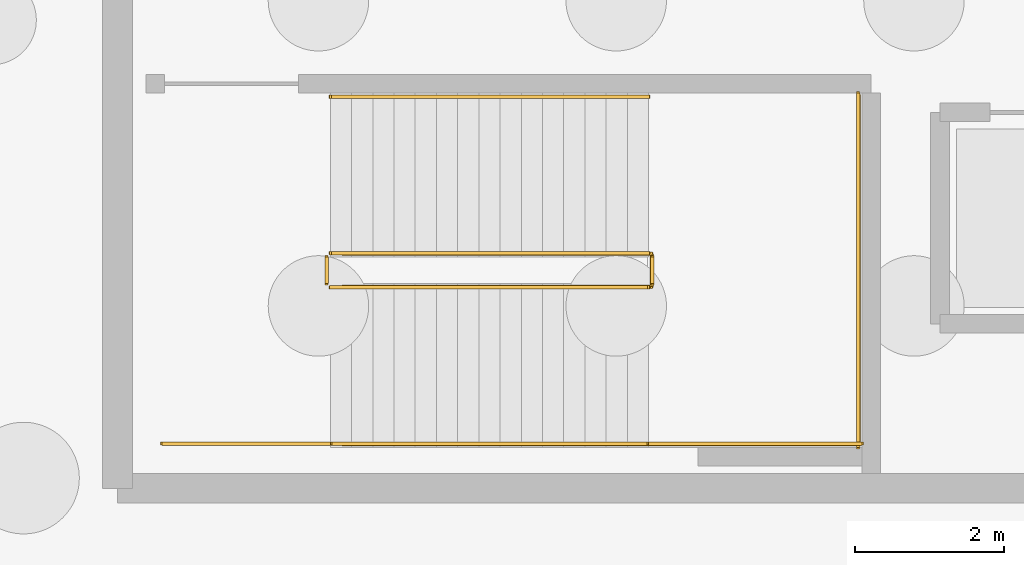
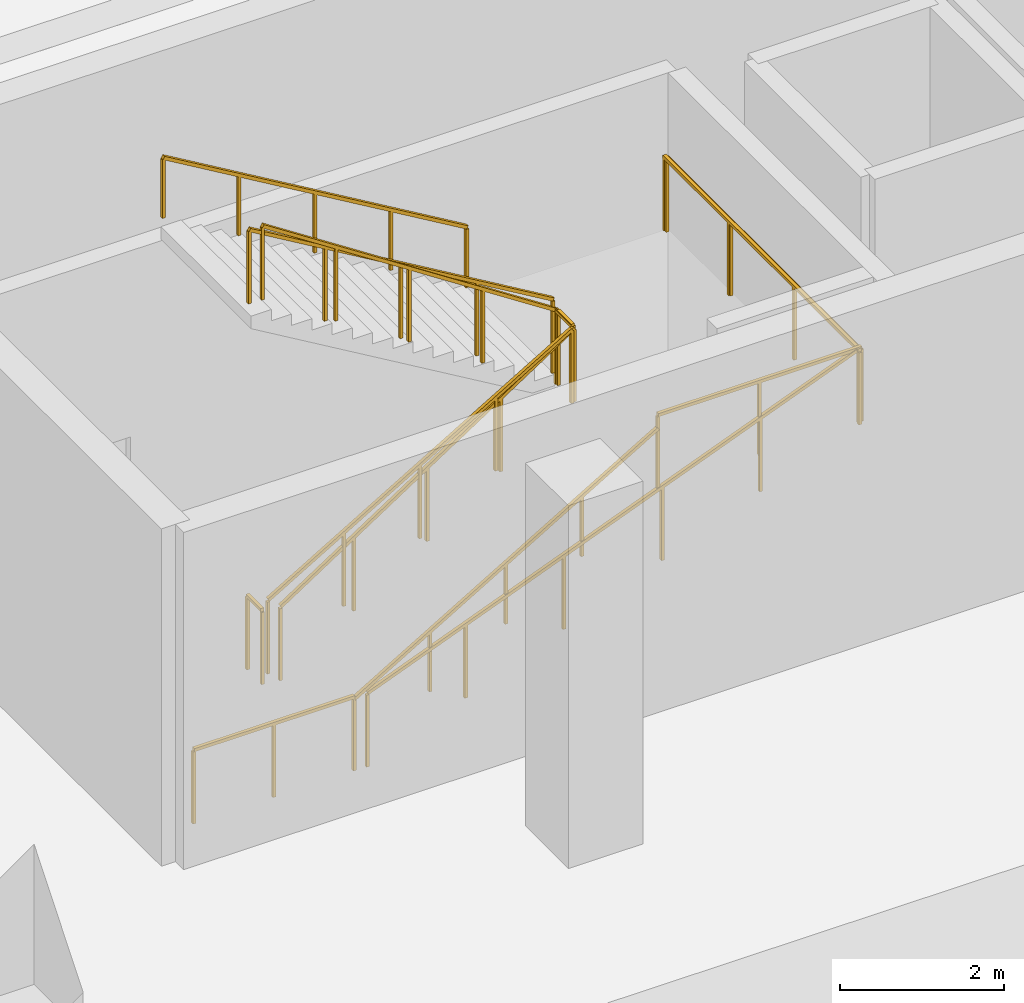
# One storey, part 59 of 65: 11 railings.
"""IFC4 building model written with IfcOpenShell, lengths in metres."""

from ifc_helpers import new_model, si_unit, direction, frame, origin, origin_2d, place, context, subcontext, project, spatial, rectangle, extrude, material, type_object, element, save


model = new_model("IFC4")

# Units and contexts
model_context = context("Model", 3, precision=1e-05, world=origin(), true_north=direction((0.0, 1.0)))
body_context = subcontext(model_context, "Body", "Model", "MODEL_VIEW")
ifc_project = project(units=[si_unit("LENGTHUNIT", "METRE"), si_unit("AREAUNIT", "SQUARE_METRE"), si_unit("VOLUMEUNIT", "CUBIC_METRE"), si_unit("PLANEANGLEUNIT", "RADIAN"), si_unit("MASSUNIT", "GRAM", prefix="KILO")], contexts=[model_context])

# Site, building, storey
site_placement = place(None, origin())
site = spatial("IfcSite", under=ifc_project, at=site_placement, CompositionType="ELEMENT")
building_placement = place(site_placement, origin())
building = spatial("IfcBuilding", under=site, at=building_placement, Name="Khorjan Park Terminus", CompositionType="ELEMENT")
storey_placement = place(building_placement, frame((0.0, 0.0, -5.4)))
storey = spatial("IfcBuildingStorey", under=building, at=storey_placement, Name="B1", CompositionType="ELEMENT", Elevation=-5.4)

# Railings
ifc_material = material(Name="Steel S355", Category="steel")
railing_type_1 = type_object("IfcRailingType", Name="GR-112", PredefinedType="GUARDRAIL", material=ifc_material)
railing_1_placement = place(storey_placement, frame((54.26, 30.7, 0.1687)))
element("IfcRailing", 1, at=railing_1_placement, inside=storey, type_object=railing_type_1, Name="B1 ST-01 stair guard 1", PredefinedType="GUARDRAIL", context=body_context, shape_type="SweptSolid", body=[
    extrude(rectangle(XDim=0.048, YDim=0.048, at=origin_2d()), frame((0.0, 0.0, 1.096), z_axis=(0.860470976901, 0.0, 0.509499458206), x_axis=(0.0, 1.0, 0.0)), (0.0, 0.0, 1.0), 4.9682),
    extrude(rectangle(XDim=0.042, YDim=0.042, at=origin_2d()), origin(), (0.0, 0.0, 1.0), 1.072),
    extrude(rectangle(XDim=0.042, YDim=0.042, at=origin_2d()), frame((1.0687, 0.0, 0.6328)), (0.0, 0.0, 1.0), 1.072),
    extrude(rectangle(XDim=0.042, YDim=0.042, at=origin_2d()), frame((2.1375, 0.0, 1.2656)), (0.0, 0.0, 1.0), 1.072),
    extrude(rectangle(XDim=0.042, YDim=0.042, at=origin_2d()), frame((3.2062, 0.0, 1.8985)), (0.0, 0.0, 1.0), 1.072),
    extrude(rectangle(XDim=0.042, YDim=0.042, at=origin_2d()), frame((4.275, 0.0, 2.5313)), (0.0, 0.0, 1.0), 1.072),
])
railing_2_placement = place(storey_placement, frame((58.585, 30.75, 2.7)))
element("IfcRailing", 2, at=railing_2_placement, inside=storey, type_object=railing_type_1, Name="B1 ST-01 stair guard 2", PredefinedType="GUARDRAIL", context=body_context, shape_type="SweptSolid", body=[
    extrude(rectangle(XDim=0.048, YDim=0.048, at=origin_2d()), frame((0.0, 0.0, 1.096), z_axis=(0.0, 1.0, 0.0), x_axis=(-1.0, 0.0, 0.0)), (0.0, 0.0, 1.0), 0.36),
    extrude(rectangle(XDim=0.042, YDim=0.042, at=origin_2d()), origin(), (0.0, 0.0, 1.0), 1.072),
    extrude(rectangle(XDim=0.042, YDim=0.042, at=origin_2d()), frame((0.0, 0.36, 0.0)), (0.0, 0.0, 1.0), 1.072),
])
railing_3_placement = place(storey_placement, frame((58.535, 28.6, 2.7)))
element("IfcRailing", 3, at=railing_3_placement, inside=storey, type_object=railing_type_1, Name="B1 ST-01 stair guard 3", PredefinedType="GUARDRAIL", context=body_context, shape_type="SweptSolid", body=[
    extrude(rectangle(XDim=0.048, YDim=0.048, at=origin_2d()), frame((0.0, 0.0, 1.096), z_axis=(1.0, 0.0, 0.0), x_axis=(0.0, 1.0, 0.0)), (0.0, 0.0, 1.0), 2.865),
    extrude(rectangle(XDim=0.042, YDim=0.042, at=origin_2d()), origin(), (0.0, 0.0, 1.0), 1.072),
    extrude(rectangle(XDim=0.042, YDim=0.042, at=origin_2d()), frame((1.4325, 0.0, 0.0)), (0.0, 0.0, 1.0), 1.072),
    extrude(rectangle(XDim=0.042, YDim=0.042, at=origin_2d()), frame((2.865, 0.0, 0.0)), (0.0, 0.0, 1.0), 1.072),
])
railing_4_placement = place(storey_placement, frame((61.35, 28.55, 2.7)))
element("IfcRailing", 4, at=railing_4_placement, inside=storey, type_object=railing_type_1, Name="B1 ST-01 stair guard 4", PredefinedType="GUARDRAIL", context=body_context, shape_type="SweptSolid", body=[
    extrude(rectangle(XDim=0.048, YDim=0.048, at=origin_2d()), frame((0.0, 0.0, 1.096), z_axis=(0.0, 1.0, 0.0), x_axis=(-1.0, 0.0, 0.0)), (0.0, 0.0, 1.0), 4.76),
    extrude(rectangle(XDim=0.042, YDim=0.042, at=origin_2d()), origin(), (0.0, 0.0, 1.0), 1.072),
    extrude(rectangle(XDim=0.042, YDim=0.042, at=origin_2d()), frame((0.0, 1.5867, 0.0)), (0.0, 0.0, 1.0), 1.072),
    extrude(rectangle(XDim=0.042, YDim=0.042, at=origin_2d()), frame((0.0, 3.1733, 0.0)), (0.0, 0.0, 1.0), 1.072),
    extrude(rectangle(XDim=0.042, YDim=0.042, at=origin_2d()), frame((0.0, 4.76, 0.0)), (0.0, 0.0, 1.0), 1.072),
])
railing_5_placement = place(storey_placement, frame((58.535, 31.16, 2.8688)))
element("IfcRailing", 5, at=railing_5_placement, inside=storey, type_object=railing_type_1, Name="B1 ST-01 stair guard 5", PredefinedType="GUARDRAIL", context=body_context, shape_type="SweptSolid", body=[
    extrude(rectangle(XDim=0.048, YDim=0.048, at=origin_2d()), frame((0.0, 0.0, 1.096), z_axis=(-0.860479801158, 0.0, 0.509484555015), x_axis=(0.0, -1.0, 0.0)), (0.0, 0.0, 1.0), 4.9682),
    extrude(rectangle(XDim=0.042, YDim=0.042, at=origin_2d()), origin(), (0.0, 0.0, 1.0), 1.072),
    extrude(rectangle(XDim=0.042, YDim=0.042, at=origin_2d()), frame((-1.0687, 0.0, 0.6328)), (0.0, 0.0, 1.0), 1.072),
    extrude(rectangle(XDim=0.042, YDim=0.042, at=origin_2d()), frame((-2.1375, 0.0, 1.2656)), (0.0, 0.0, 1.0), 1.072),
    extrude(rectangle(XDim=0.042, YDim=0.042, at=origin_2d()), frame((-3.2062, 0.0, 1.8984)), (0.0, 0.0, 1.0), 1.072),
    extrude(rectangle(XDim=0.042, YDim=0.042, at=origin_2d()), frame((-4.275, 0.0, 2.5312)), (0.0, 0.0, 1.0), 1.072),
])
railing_6_placement = place(storey_placement, frame((54.21, 30.75, 0.0)))
element("IfcRailing", 6, at=railing_6_placement, inside=storey, type_object=railing_type_1, Name="B1 ST-01 stair guard 6", PredefinedType="GUARDRAIL", context=body_context, shape_type="SweptSolid", body=[
    extrude(rectangle(XDim=0.048, YDim=0.048, at=origin_2d()), frame((0.0, 0.0, 1.096), z_axis=(0.0, 1.0, 0.0), x_axis=(-1.0, 0.0, 0.0)), (0.0, 0.0, 1.0), 0.36),
    extrude(rectangle(XDim=0.042, YDim=0.042, at=origin_2d()), origin(), (0.0, 0.0, 1.0), 1.072),
    extrude(rectangle(XDim=0.042, YDim=0.042, at=origin_2d()), frame((0.0, 0.36, 0.0)), (0.0, 0.0, 1.0), 1.072),
])
railing_7_placement = place(storey_placement, frame((52.0, 28.6, 0.0)))
element("IfcRailing", 7, at=railing_7_placement, inside=storey, type_object=railing_type_1, Name="B1 ST-01 stair guard 7", PredefinedType="GUARDRAIL", context=body_context, shape_type="SweptSolid", body=[
    extrude(rectangle(XDim=0.048, YDim=0.048, at=origin_2d()), frame((0.0, 0.0, 1.096), z_axis=(1.0, 0.0, 0.0), x_axis=(0.0, 1.0, 0.0)), (0.0, 0.0, 1.0), 2.26),
    extrude(rectangle(XDim=0.042, YDim=0.042, at=origin_2d()), origin(), (0.0, 0.0, 1.0), 1.072),
    extrude(rectangle(XDim=0.042, YDim=0.042, at=origin_2d()), frame((1.13, 0.0, 0.0)), (0.0, 0.0, 1.0), 1.072),
    extrude(rectangle(XDim=0.042, YDim=0.042, at=origin_2d()), frame((2.26, 0.0, 0.0)), (0.0, 0.0, 1.0), 1.072),
])
railing_8_placement = place(storey_placement, frame((54.44, 30.71, 0.0)))
element("IfcRailing", 8, at=railing_8_placement, inside=storey, type_object=railing_type_1, Name="Core K1 stair well slot guard GR-112 (B1)", PredefinedType="GUARDRAIL", context=body_context, shape_type="SweptSolid", body=[
    extrude(rectangle(XDim=0.048, YDim=0.048, at=origin_2d()), frame((0.0, 0.0, 1.096), z_axis=(0.837308340656, 0.0, 0.546730960041), x_axis=(0.0, 1.0, 0.0)), (0.0, 0.0, 1.0), 4.9384),
    extrude(rectangle(XDim=0.048, YDim=0.048, at=origin_2d()), frame((4.135, 0.0, 3.796), z_axis=(0.0, 1.0, 0.0), x_axis=(-1.0, 0.0, 0.0)), (0.0, 0.0, 1.0), 0.44),
    extrude(rectangle(XDim=0.048, YDim=0.048, at=origin_2d()), frame((4.135, 0.44, 3.796), z_axis=(-0.837308340656, 0.0, 0.546730960041), x_axis=(0.0, -1.0, 0.0)), (0.0, 0.0, 1.0), 4.9384),
    extrude(rectangle(XDim=0.042, YDim=0.042, at=origin_2d()), origin(), (0.0, 0.0, 1.0), 1.072),
    extrude(rectangle(XDim=0.042, YDim=0.042, at=origin_2d()), frame((1.0338, 0.0, 0.675)), (0.0, 0.0, 1.0), 1.072),
    extrude(rectangle(XDim=0.042, YDim=0.042, at=origin_2d()), frame((2.0675, 0.0, 1.35)), (0.0, 0.0, 1.0), 1.072),
    extrude(rectangle(XDim=0.042, YDim=0.042, at=origin_2d()), frame((3.1013, 0.0, 2.025)), (0.0, 0.0, 1.0), 1.072),
    extrude(rectangle(XDim=0.042, YDim=0.042, at=origin_2d()), frame((4.135, 0.0, 2.7)), (0.0, 0.0, 1.0), 1.072),
    extrude(rectangle(XDim=0.042, YDim=0.042, at=origin_2d()), frame((4.135, 0.44, 2.7)), (0.0, 0.0, 1.0), 1.072),
    extrude(rectangle(XDim=0.042, YDim=0.042, at=origin_2d()), frame((3.1013, 0.44, 3.375)), (0.0, 0.0, 1.0), 1.072),
    extrude(rectangle(XDim=0.042, YDim=0.042, at=origin_2d()), frame((2.0675, 0.44, 4.05)), (0.0, 0.0, 1.0), 1.072),
    extrude(rectangle(XDim=0.042, YDim=0.042, at=origin_2d()), frame((1.0338, 0.44, 4.725)), (0.0, 0.0, 1.0), 1.072),
    extrude(rectangle(XDim=0.042, YDim=0.042, at=origin_2d()), frame((0.0, 0.44, 5.4)), (0.0, 0.0, 1.0), 1.072),
])
railing_9_placement = place(storey_placement, frame((54.44, 28.59, 0.0)))
element("IfcRailing", 9, at=railing_9_placement, inside=storey, type_object=railing_type_1, Name="Core K1 stair side & landing guard GR-112 (B1)", PredefinedType="GUARDRAIL", context=body_context, shape_type="SweptSolid", body=[
    extrude(rectangle(XDim=0.048, YDim=0.048, at=origin_2d()), frame((0.0, 0.0, 1.096), z_axis=(0.931599858197, 0.0, 0.363485493805), x_axis=(0.0, 1.0, 0.0)), (0.0, 0.0, 1.0), 7.4281),
    extrude(rectangle(XDim=0.048, YDim=0.048, at=origin_2d()), frame((6.92, 0.0, 3.796), z_axis=(0.0, 1.0, 0.0), x_axis=(-1.0, 0.0, 0.0)), (0.0, 0.0, 1.0), 4.68),
    extrude(rectangle(XDim=0.042, YDim=0.042, at=origin_2d()), origin(), (0.0, 0.0, 1.0), 1.072),
    extrude(rectangle(XDim=0.042, YDim=0.042, at=origin_2d()), frame((1.384, 0.0, 0.54)), (0.0, 0.0, 1.0), 1.072),
    extrude(rectangle(XDim=0.042, YDim=0.042, at=origin_2d()), frame((2.768, 0.0, 1.08)), (0.0, 0.0, 1.0), 1.072),
    extrude(rectangle(XDim=0.042, YDim=0.042, at=origin_2d()), frame((4.152, 0.0, 1.62)), (0.0, 0.0, 1.0), 1.072),
    extrude(rectangle(XDim=0.042, YDim=0.042, at=origin_2d()), frame((5.536, 0.0, 2.16)), (0.0, 0.0, 1.0), 1.072),
    extrude(rectangle(XDim=0.042, YDim=0.042, at=origin_2d()), frame((6.92, 0.0, 2.7)), (0.0, 0.0, 1.0), 1.072),
    extrude(rectangle(XDim=0.042, YDim=0.042, at=origin_2d()), frame((6.92, 1.56, 2.7)), (0.0, 0.0, 1.0), 1.072),
    extrude(rectangle(XDim=0.042, YDim=0.042, at=origin_2d()), frame((6.92, 3.12, 2.7)), (0.0, 0.0, 1.0), 1.072),
    extrude(rectangle(XDim=0.042, YDim=0.042, at=origin_2d()), frame((6.92, 4.68, 2.7)), (0.0, 0.0, 1.0), 1.072),
])
railing_type_2 = type_object("IfcRailingType", Name="HR-92", PredefinedType="HANDRAIL", material=ifc_material)
railing_10_placement = place(storey_placement, frame((54.26, 28.6, 0.1687)))
element("IfcRailing", 10, at=railing_10_placement, inside=storey, type_object=railing_type_2, Name="B1 ST-01 stair handrail 1", PredefinedType="HANDRAIL", context=body_context, shape_type="SweptSolid", body=[
    extrude(rectangle(XDim=0.048, YDim=0.048, at=origin_2d()), frame((0.0, 0.0, 0.896), z_axis=(0.860470976901, 0.0, 0.509499458206), x_axis=(0.0, 1.0, 0.0)), (0.0, 0.0, 1.0), 4.9682),
    extrude(rectangle(XDim=0.042, YDim=0.042, at=origin_2d()), origin(), (0.0, 0.0, 1.0), 0.872),
    extrude(rectangle(XDim=0.042, YDim=0.042, at=origin_2d()), frame((1.0687, 0.0, 0.6328)), (0.0, 0.0, 1.0), 0.872),
    extrude(rectangle(XDim=0.042, YDim=0.042, at=origin_2d()), frame((2.1375, 0.0, 1.2656)), (0.0, 0.0, 1.0), 0.872),
    extrude(rectangle(XDim=0.042, YDim=0.042, at=origin_2d()), frame((3.2062, 0.0, 1.8985)), (0.0, 0.0, 1.0), 0.872),
    extrude(rectangle(XDim=0.042, YDim=0.042, at=origin_2d()), frame((4.275, 0.0, 2.5313)), (0.0, 0.0, 1.0), 0.872),
])
railing_11_placement = place(storey_placement, frame((58.535, 33.26, 2.8688)))
element("IfcRailing", 11, at=railing_11_placement, inside=storey, type_object=railing_type_2, Name="B1 ST-01 stair handrail 2", PredefinedType="HANDRAIL", context=body_context, shape_type="SweptSolid", body=[
    extrude(rectangle(XDim=0.048, YDim=0.048, at=origin_2d()), frame((0.0, 0.0, 0.896), z_axis=(-0.860479801158, 0.0, 0.509484555015), x_axis=(0.0, -1.0, 0.0)), (0.0, 0.0, 1.0), 4.9682),
    extrude(rectangle(XDim=0.042, YDim=0.042, at=origin_2d()), origin(), (0.0, 0.0, 1.0), 0.872),
    extrude(rectangle(XDim=0.042, YDim=0.042, at=origin_2d()), frame((-1.0687, 0.0, 0.6328)), (0.0, 0.0, 1.0), 0.872),
    extrude(rectangle(XDim=0.042, YDim=0.042, at=origin_2d()), frame((-2.1375, 0.0, 1.2656)), (0.0, 0.0, 1.0), 0.872),
    extrude(rectangle(XDim=0.042, YDim=0.042, at=origin_2d()), frame((-3.2062, 0.0, 1.8984)), (0.0, 0.0, 1.0), 0.872),
    extrude(rectangle(XDim=0.042, YDim=0.042, at=origin_2d()), frame((-4.275, 0.0, 2.5312)), (0.0, 0.0, 1.0), 0.872),
])

save(model, "model.ifc")
